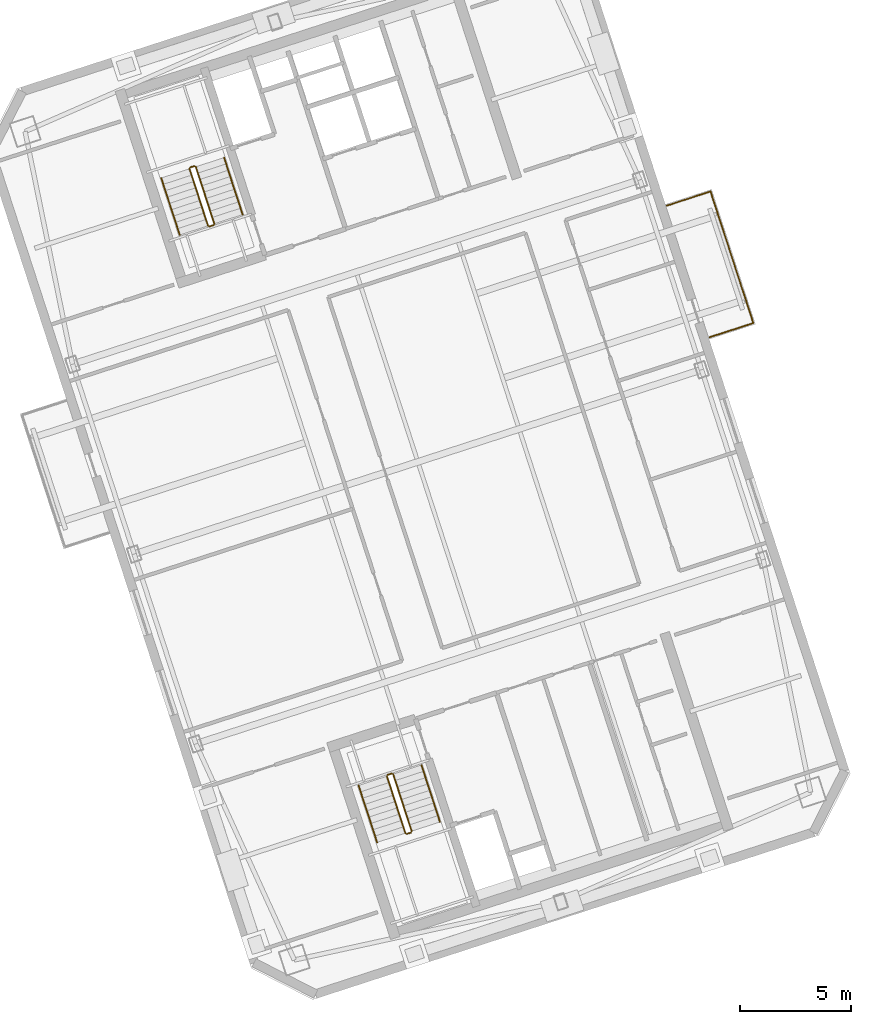
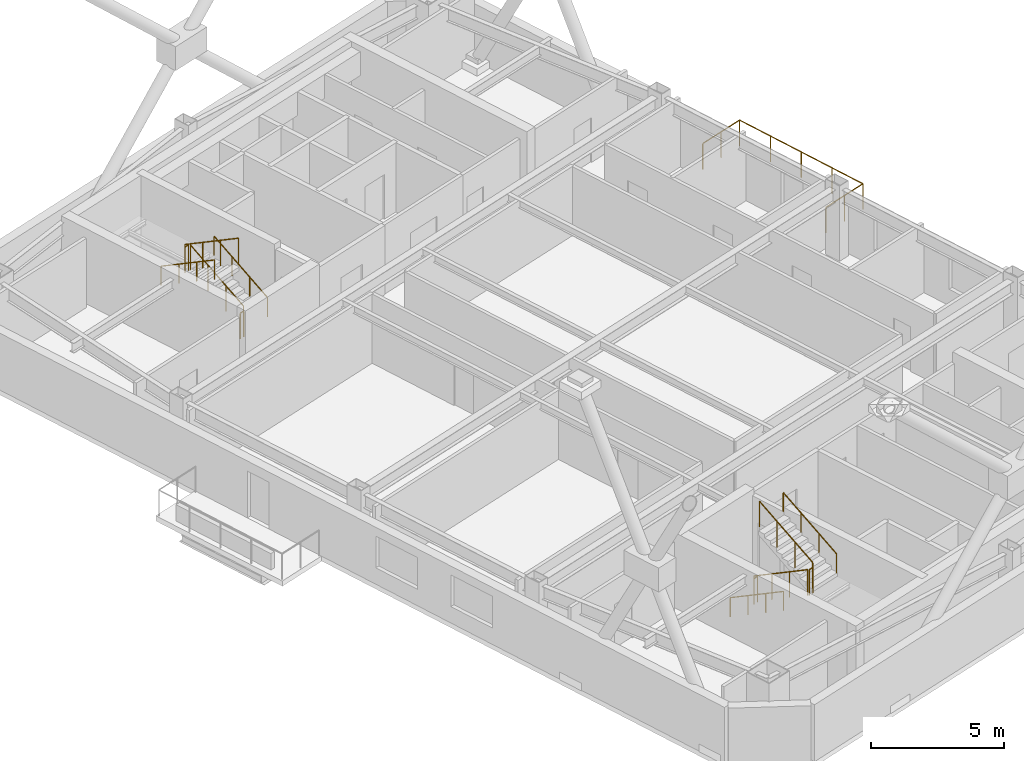
# One storey, part 16 of 16: 13 railings.
"""IFC4 building model written with IfcOpenShell, lengths in metres."""

from ifc_helpers import new_model, si_unit, direction, frame, origin, origin_2d, place, context, subcontext, project, spatial, circle, extrude, material, type_object, element, save


model = new_model("IFC4")

# Units and contexts
model_context = context("Model", 3, precision=1e-05, world=origin(), true_north=direction((0.0, 1.0)))
body_context = subcontext(model_context, "Body", "Model", "MODEL_VIEW")
ifc_project = project(units=[si_unit("LENGTHUNIT", "METRE"), si_unit("AREAUNIT", "SQUARE_METRE"), si_unit("VOLUMEUNIT", "CUBIC_METRE"), si_unit("PLANEANGLEUNIT", "RADIAN"), si_unit("MASSUNIT", "GRAM", prefix="KILO")], contexts=[model_context])

# Site, building, storey
site_placement = place(None, origin())
site = spatial("IfcSite", under=ifc_project, at=site_placement, CompositionType="ELEMENT")
building_placement = place(site_placement, origin())
building = spatial("IfcBuilding", under=site, at=building_placement, Name="Qiaolan Cultural Towers", CompositionType="ELEMENT")
storey_placement = place(building_placement, frame((0.0, 0.0, 198.949951171875)))
storey = spatial("IfcBuildingStorey", under=building, at=storey_placement, Name="L53", CompositionType="ELEMENT", Elevation=198.949951171875)

# Railings
ifc_material_1 = material(Name="Laminated SentryGlas & Stainless Steel S31608 Balustrade", Category="steel")
railing_type_1 = type_object("IfcRailingType", Name="GRD-TERR-1200", PredefinedType="BALUSTRADE", material=ifc_material_1)
railing_1_placement = place(storey_placement, frame((103.156982421875, 39.620849609375, 0.0)))
element("IfcRailing", 1, at=railing_1_placement, inside=storey, type_object=railing_type_1, Name="L53 T2 Tree Balcony Guardrail E", PredefinedType="BALUSTRADE", context=body_context, shape_type="SweptSolid", body=[
    extrude(circle(Radius=0.02392578125, at=origin_2d()), frame((0.0, 0.0, 1.17578125), z_axis=(0.951061799618, 0.309000733507, 0.0), x_axis=(-0.309000733507, 0.951061799618, 0.0)), (0.0, 0.0, 1.0), 2.070068359375),
    extrude(circle(Radius=0.02392578125, at=origin_2d()), frame((1.96875, 0.6396484375, 1.17578125), z_axis=(-0.30901175762, 0.951058217804, 0.0), x_axis=(-0.951058217804, -0.30901175762, 0.0)), (0.0, 0.0, 1.0), 6.239990234375),
    extrude(circle(Radius=0.02392578125, at=origin_2d()), frame((0.04052734375, 6.57421875, 1.17578125), z_axis=(-0.951061799618, -0.309000733507, 0.0), x_axis=(0.309000733507, -0.951061799618, 0.0)), (0.0, 0.0, 1.0), 2.070068359375),
    extrude(circle(Radius=0.02099609375, at=origin_2d()), origin(), (0.0, 0.0, 1.0), 1.15185546875),
    extrude(circle(Radius=0.02099609375, at=origin_2d()), frame((0.984375, 0.31982421875, 0.0)), (0.0, 0.0, 1.0), 1.15185546875),
    extrude(circle(Radius=0.02099609375, at=origin_2d()), frame((1.96875, 0.6396484375, 0.0)), (0.0, 0.0, 1.0), 1.15185546875),
    extrude(circle(Radius=0.02099609375, at=origin_2d()), frame((1.48681640625, 2.123291015625, 0.0)), (0.0, 0.0, 1.0), 1.15185546875),
    extrude(circle(Radius=0.02099609375, at=origin_2d()), frame((1.004638671875, 3.60693359375, 0.0)), (0.0, 0.0, 1.0), 1.15185546875),
    extrude(circle(Radius=0.02099609375, at=origin_2d()), frame((0.5224609375, 5.090576171875, 0.0)), (0.0, 0.0, 1.0), 1.15185546875),
    extrude(circle(Radius=0.02099609375, at=origin_2d()), frame((0.04052734375, 6.57421875, 0.0)), (0.0, 0.0, 1.0), 1.15185546875),
    extrude(circle(Radius=0.02099609375, at=origin_2d()), frame((-0.94384765625, 6.25439453125, 0.0)), (0.0, 0.0, 1.0), 1.15185546875),
    extrude(circle(Radius=0.02099609375, at=origin_2d()), frame((-1.92822265625, 5.9345703125, 0.0)), (0.0, 0.0, 1.0), 1.15185546875),
])
ifc_material_2 = material(Name="Galvanized Painted Steel Stair Guardrail", Category="steel")
railing_type_2 = type_object("IfcRailingType", Name="RL-STAIR-GRD", PredefinedType="GUARDRAIL", material=ifc_material_2)
railing_2_placement = place(storey_placement, frame((88.60205078125, 19.82421875, 0.172607421875)))
element("IfcRailing", 2, at=railing_2_placement, inside=storey, type_object=railing_type_2, Name="L53 ST-E1 stair guard 1", PredefinedType="GUARDRAIL", context=body_context, shape_type="SweptSolid", body=[
    extrude(circle(Radius=0.02392578125, at=origin_2d()), frame((0.0, 0.0, 1.17578125), z_axis=(0.267925668498, -0.824471088726, 0.498460891159), x_axis=(0.951043371037, 0.309057448393, 0.0)), (0.0, 0.0, 1.0), 3.114501953125),
    extrude(circle(Radius=0.02099609375, at=origin_2d()), origin(), (0.0, 0.0, 1.0), 1.15185546875),
    extrude(circle(Radius=0.02099609375, at=origin_2d()), frame((0.278076171875, -0.85595703125, 0.517578125)), (0.0, 0.0, 1.0), 1.15185546875),
    extrude(circle(Radius=0.02099609375, at=origin_2d()), frame((0.556396484375, -1.7119140625, 1.034912109375)), (0.0, 0.0, 1.0), 1.15185546875),
    extrude(circle(Radius=0.02099609375, at=origin_2d()), frame((0.83447265625, -2.56787109375, 1.552490234375)), (0.0, 0.0, 1.0), 1.15185546875),
])
railing_3_placement = place(storey_placement, frame((89.49951171875, 17.224365234375, 1.72509765625)))
element("IfcRailing", 3, at=railing_3_placement, inside=storey, type_object=railing_type_2, Name="L53 ST-E1 stair guard 2", PredefinedType="GUARDRAIL", context=body_context, shape_type="SweptSolid", body=[
    extrude(circle(Radius=0.02392578125, at=origin_2d()), frame((0.0, 0.0, 1.17578125), z_axis=(0.951096855055, 0.308892816854, 0.0), x_axis=(-0.308892816854, 0.951096855055, 0.0)), (0.0, 0.0, 1.0), 0.199951171875),
    extrude(circle(Radius=0.02099609375, at=origin_2d()), origin(), (0.0, 0.0, 1.0), 1.15185546875),
    extrude(circle(Radius=0.02099609375, at=origin_2d()), frame((0.190185546875, 0.061767578125, 0.0)), (0.0, 0.0, 1.0), 1.15185546875),
])
railing_4_placement = place(storey_placement, frame((89.721923828125, 17.34912109375, 1.8974609375)))
element("IfcRailing", 4, at=railing_4_placement, inside=storey, type_object=railing_type_2, Name="L53 ST-E1 stair guard 3", PredefinedType="GUARDRAIL", context=body_context, shape_type="SweptSolid", body=[
    extrude(circle(Radius=0.02392578125, at=origin_2d()), frame((0.0, 0.0, 1.17578125), z_axis=(-0.267925668498, 0.824471088726, 0.498460891159), x_axis=(-0.951043371037, -0.309057448393, 0.0)), (0.0, 0.0, 1.0), 3.114501953125),
    extrude(circle(Radius=0.02099609375, at=origin_2d()), origin(), (0.0, 0.0, 1.0), 1.15185546875),
    extrude(circle(Radius=0.02099609375, at=origin_2d()), frame((-0.278076171875, 0.85595703125, 0.517578125)), (0.0, 0.0, 1.0), 1.15185546875),
    extrude(circle(Radius=0.02099609375, at=origin_2d()), frame((-0.556396484375, 1.7119140625, 1.034912109375)), (0.0, 0.0, 1.0), 1.15185546875),
    extrude(circle(Radius=0.02099609375, at=origin_2d()), frame((-0.83447265625, 2.56787109375, 1.552490234375)), (0.0, 0.0, 1.0), 1.15185546875),
])
railing_5_placement = place(storey_placement, frame((88.63427734375, 19.88720703125, 0.0)))
element("IfcRailing", 5, at=railing_5_placement, inside=storey, type_object=railing_type_2, Name="L53 ST-E1 stair guard 4", PredefinedType="GUARDRAIL", context=body_context, shape_type="SweptSolid", body=[
    extrude(circle(Radius=0.02392578125, at=origin_2d()), frame((0.0, 0.0, 1.17578125), z_axis=(0.951096855055, 0.308892816854, 0.0), x_axis=(-0.308892816854, 0.951096855055, 0.0)), (0.0, 0.0, 1.0), 0.199951171875),
    extrude(circle(Radius=0.02099609375, at=origin_2d()), origin(), (0.0, 0.0, 1.0), 1.15185546875),
    extrude(circle(Radius=0.02099609375, at=origin_2d()), frame((0.190185546875, 0.061767578125, 0.0)), (0.0, 0.0, 1.0), 1.15185546875),
])
railing_6_placement = place(storey_placement, frame((80.822021484375, 44.739501953125, 0.172607421875)))
element("IfcRailing", 6, at=railing_6_placement, inside=storey, type_object=railing_type_2, Name="L53 ST-E2 stair guard 1", PredefinedType="GUARDRAIL", context=body_context, shape_type="SweptSolid", body=[
    extrude(circle(Radius=0.02392578125, at=origin_2d()), frame((0.0, 0.0, 1.17578125), z_axis=(-0.26785290645, 0.824488402118, 0.498471358535), x_axis=(-0.951069945308, -0.308975661068, 0.0)), (0.0, 0.0, 1.0), 3.114501953125),
    extrude(circle(Radius=0.02099609375, at=origin_2d()), origin(), (0.0, 0.0, 1.0), 1.15185546875),
    extrude(circle(Radius=0.02099609375, at=origin_2d()), frame((-0.278076171875, 0.85595703125, 0.517578125)), (0.0, 0.0, 1.0), 1.15185546875),
    extrude(circle(Radius=0.02099609375, at=origin_2d()), frame((-0.55615234375, 1.7119140625, 1.034912109375)), (0.0, 0.0, 1.0), 1.15185546875),
    extrude(circle(Radius=0.02099609375, at=origin_2d()), frame((-0.834228515625, 2.56787109375, 1.552490234375)), (0.0, 0.0, 1.0), 1.15185546875),
])
railing_7_placement = place(storey_placement, frame((79.9248046875, 47.33935546875, 1.72509765625)))
element("IfcRailing", 7, at=railing_7_placement, inside=storey, type_object=railing_type_2, Name="L53 ST-E2 stair guard 2", PredefinedType="GUARDRAIL", context=body_context, shape_type="SweptSolid", body=[
    extrude(circle(Radius=0.02392578125, at=origin_2d()), frame((0.0, 0.0, 1.17578125), z_axis=(-0.951096855055, -0.308892816854, 0.0), x_axis=(0.308892816854, -0.951096855055, 0.0)), (0.0, 0.0, 1.0), 0.199951171875),
    extrude(circle(Radius=0.02099609375, at=origin_2d()), origin(), (0.0, 0.0, 1.0), 1.15185546875),
    extrude(circle(Radius=0.02099609375, at=origin_2d()), frame((-0.190185546875, -0.061767578125, 0.0)), (0.0, 0.0, 1.0), 1.15185546875),
])
railing_8_placement = place(storey_placement, frame((79.702392578125, 47.214599609375, 1.8974609375)))
element("IfcRailing", 8, at=railing_8_placement, inside=storey, type_object=railing_type_2, Name="L53 ST-E2 stair guard 3", PredefinedType="GUARDRAIL", context=body_context, shape_type="SweptSolid", body=[
    extrude(circle(Radius=0.02392578125, at=origin_2d()), frame((0.0, 0.0, 1.17578125), z_axis=(0.267925668498, -0.824471088726, 0.498460891159), x_axis=(0.951043371037, 0.309057448393, 0.0)), (0.0, 0.0, 1.0), 3.114501953125),
    extrude(circle(Radius=0.02099609375, at=origin_2d()), origin(), (0.0, 0.0, 1.0), 1.15185546875),
    extrude(circle(Radius=0.02099609375, at=origin_2d()), frame((0.278076171875, -0.85595703125, 0.517578125)), (0.0, 0.0, 1.0), 1.15185546875),
    extrude(circle(Radius=0.02099609375, at=origin_2d()), frame((0.556396484375, -1.7119140625, 1.034912109375)), (0.0, 0.0, 1.0), 1.15185546875),
    extrude(circle(Radius=0.02099609375, at=origin_2d()), frame((0.83447265625, -2.56787109375, 1.552490234375)), (0.0, 0.0, 1.0), 1.15185546875),
])
railing_9_placement = place(storey_placement, frame((80.7900390625, 44.676513671875, 0.0)))
element("IfcRailing", 9, at=railing_9_placement, inside=storey, type_object=railing_type_2, Name="L53 ST-E2 stair guard 4", PredefinedType="GUARDRAIL", context=body_context, shape_type="SweptSolid", body=[
    extrude(circle(Radius=0.02392578125, at=origin_2d()), frame((0.0, 0.0, 1.17578125), z_axis=(-0.951096855055, -0.308892816854, 0.0), x_axis=(0.308892816854, -0.951096855055, 0.0)), (0.0, 0.0, 1.0), 0.199951171875),
    extrude(circle(Radius=0.02099609375, at=origin_2d()), origin(), (0.0, 0.0, 1.0), 1.15185546875),
    extrude(circle(Radius=0.02099609375, at=origin_2d()), frame((-0.190185546875, -0.061767578125, 0.0)), (0.0, 0.0, 1.0), 1.15185546875),
])
ifc_material_3 = material(Name="Stainless Steel S30408 Tubular Handrail", Category="steel")
railing_type_3 = type_object("IfcRailingType", Name="RL-STAIR-HR", PredefinedType="HANDRAIL", material=ifc_material_3)
railing_10_placement = place(storey_placement, frame((87.32763671875, 19.41015625, 0.172607421875)))
element("IfcRailing", 10, at=railing_10_placement, inside=storey, type_object=railing_type_3, Name="L53 ST-E1 stair handrail 1", PredefinedType="HANDRAIL", context=body_context, shape_type="SweptSolid", body=[
    extrude(circle(Radius=0.02392578125, at=origin_2d()), frame((0.0, 0.0, 0.8759765625), z_axis=(0.267925668498, -0.824471088726, 0.498460891159), x_axis=(0.951043371037, 0.309057448393, 0.0)), (0.0, 0.0, 1.0), 3.114501953125),
    extrude(circle(Radius=0.02099609375, at=origin_2d()), origin(), (0.0, 0.0, 1.0), 0.851806640625),
    extrude(circle(Radius=0.02099609375, at=origin_2d()), frame((0.278076171875, -0.85595703125, 0.517578125)), (0.0, 0.0, 1.0), 0.851806640625),
    extrude(circle(Radius=0.02099609375, at=origin_2d()), frame((0.556396484375, -1.7119140625, 1.034912109375)), (0.0, 0.0, 1.0), 0.851806640625),
    extrude(circle(Radius=0.02099609375, at=origin_2d()), frame((0.83447265625, -2.56787109375, 1.552490234375)), (0.0, 0.0, 1.0), 0.851806640625),
])
railing_11_placement = place(storey_placement, frame((90.996337890625, 17.76318359375, 1.8974609375)))
element("IfcRailing", 11, at=railing_11_placement, inside=storey, type_object=railing_type_3, Name="L53 ST-E1 stair handrail 2", PredefinedType="HANDRAIL", context=body_context, shape_type="SweptSolid", body=[
    extrude(circle(Radius=0.02392578125, at=origin_2d()), frame((0.0, 0.0, 0.8759765625), z_axis=(-0.267925668498, 0.824471088726, 0.498460891159), x_axis=(-0.951043371037, -0.309057448393, 0.0)), (0.0, 0.0, 1.0), 3.114501953125),
    extrude(circle(Radius=0.02099609375, at=origin_2d()), origin(), (0.0, 0.0, 1.0), 0.851806640625),
    extrude(circle(Radius=0.02099609375, at=origin_2d()), frame((-0.278076171875, 0.85595703125, 0.517578125)), (0.0, 0.0, 1.0), 0.851806640625),
    extrude(circle(Radius=0.02099609375, at=origin_2d()), frame((-0.556396484375, 1.7119140625, 1.034912109375)), (0.0, 0.0, 1.0), 0.851806640625),
    extrude(circle(Radius=0.02099609375, at=origin_2d()), frame((-0.83447265625, 2.56787109375, 1.552490234375)), (0.0, 0.0, 1.0), 0.851806640625),
])
railing_12_placement = place(storey_placement, frame((82.096435546875, 45.153564453125, 0.172607421875)))
element("IfcRailing", 12, at=railing_12_placement, inside=storey, type_object=railing_type_3, Name="L53 ST-E2 stair handrail 1", PredefinedType="HANDRAIL", context=body_context, shape_type="SweptSolid", body=[
    extrude(circle(Radius=0.02392578125, at=origin_2d()), frame((0.0, 0.0, 0.8759765625), z_axis=(-0.26785290645, 0.824488402118, 0.498471358535), x_axis=(-0.951069945308, -0.308975661068, 0.0)), (0.0, 0.0, 1.0), 3.114501953125),
    extrude(circle(Radius=0.02099609375, at=origin_2d()), origin(), (0.0, 0.0, 1.0), 0.851806640625),
    extrude(circle(Radius=0.02099609375, at=origin_2d()), frame((-0.278076171875, 0.85595703125, 0.517578125)), (0.0, 0.0, 1.0), 0.851806640625),
    extrude(circle(Radius=0.02099609375, at=origin_2d()), frame((-0.55615234375, 1.7119140625, 1.034912109375)), (0.0, 0.0, 1.0), 0.851806640625),
    extrude(circle(Radius=0.02099609375, at=origin_2d()), frame((-0.834228515625, 2.56787109375, 1.552490234375)), (0.0, 0.0, 1.0), 0.851806640625),
])
railing_13_placement = place(storey_placement, frame((78.427978515625, 46.800537109375, 1.8974609375)))
element("IfcRailing", 13, at=railing_13_placement, inside=storey, type_object=railing_type_3, Name="L53 ST-E2 stair handrail 2", PredefinedType="HANDRAIL", context=body_context, shape_type="SweptSolid", body=[
    extrude(circle(Radius=0.02392578125, at=origin_2d()), frame((0.0, 0.0, 0.8759765625), z_axis=(0.267925668498, -0.824471088726, 0.498460891159), x_axis=(0.951043371037, 0.309057448393, 0.0)), (0.0, 0.0, 1.0), 3.114501953125),
    extrude(circle(Radius=0.02099609375, at=origin_2d()), origin(), (0.0, 0.0, 1.0), 0.851806640625),
    extrude(circle(Radius=0.02099609375, at=origin_2d()), frame((0.278076171875, -0.85595703125, 0.517578125)), (0.0, 0.0, 1.0), 0.851806640625),
    extrude(circle(Radius=0.02099609375, at=origin_2d()), frame((0.556396484375, -1.7119140625, 1.034912109375)), (0.0, 0.0, 1.0), 0.851806640625),
    extrude(circle(Radius=0.02099609375, at=origin_2d()), frame((0.83447265625, -2.56787109375, 1.552490234375)), (0.0, 0.0, 1.0), 0.851806640625),
])

save(model, "model.ifc")
